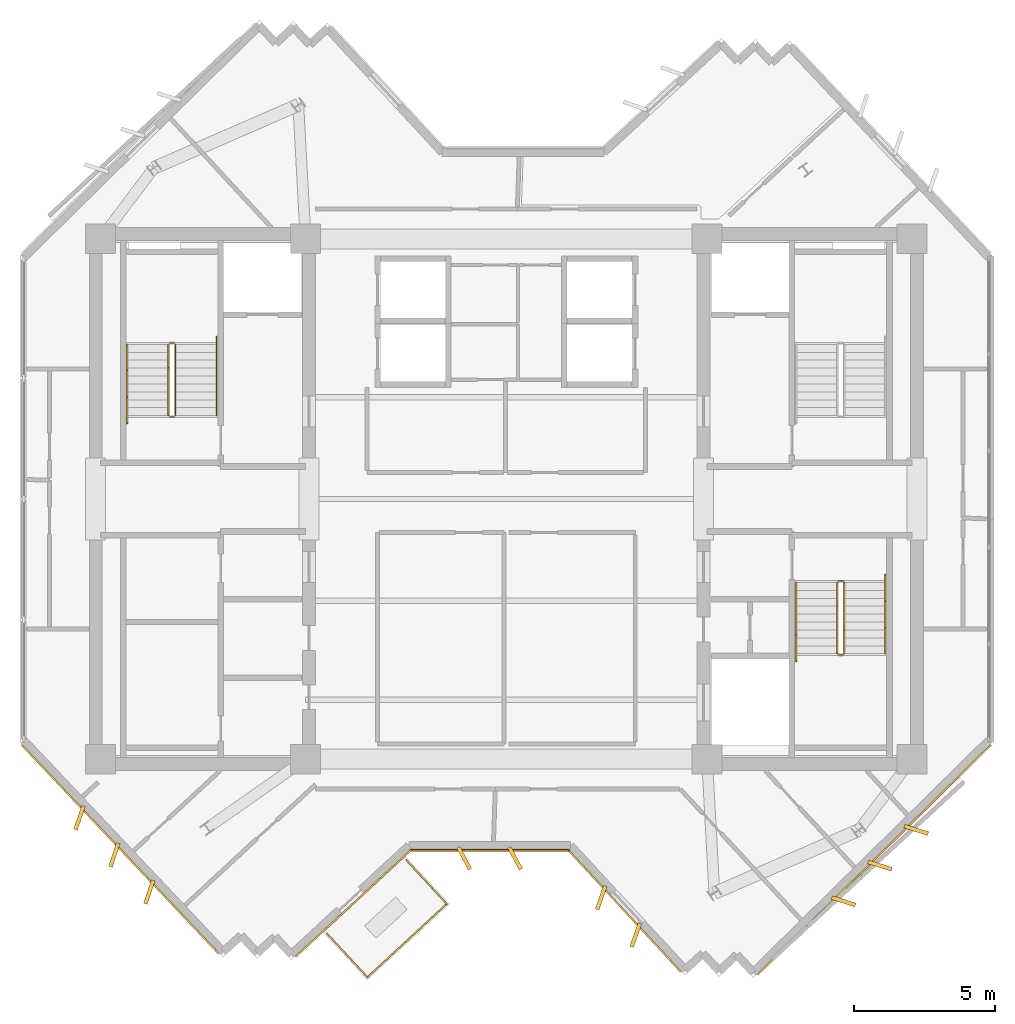
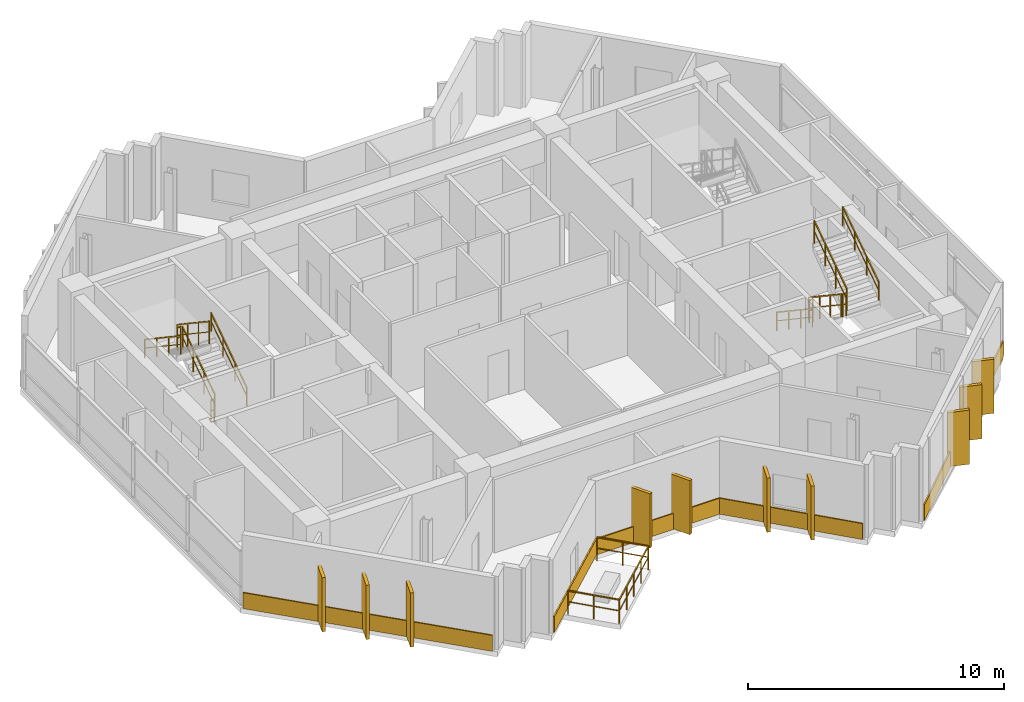
# One storey, part 8 of 9: 15 coverings, 15 railings.
"""IFC4 building model written with IfcOpenShell, lengths in metres."""

from ifc_helpers import new_model, si_unit, direction, frame, origin, origin_2d, place, context, subcontext, project, spatial, rectangle, extrude, source, transform, mapped, material, layer, layer_set, type_object, element, save


model = new_model("IFC4")

# Units and contexts
model_context = context("Model", 3, precision=1e-05, world=origin(), true_north=direction((0.0, 1.0)))
body_context = subcontext(model_context, "Body", "Model", "MODEL_VIEW")
ifc_project = project(units=[si_unit("LENGTHUNIT", "METRE"), si_unit("AREAUNIT", "SQUARE_METRE"), si_unit("VOLUMEUNIT", "CUBIC_METRE"), si_unit("PLANEANGLEUNIT", "RADIAN"), si_unit("MASSUNIT", "GRAM", prefix="KILO")], contexts=[model_context])

# Site, building, storey
site_placement = place(None, origin())
site = spatial("IfcSite", under=ifc_project, at=site_placement, CompositionType="ELEMENT")
building_placement = place(site_placement, origin())
building = spatial("IfcBuilding", under=site, at=building_placement, Name="Zahravan Cultural Tower", CompositionType="ELEMENT")
storey_placement = place(building_placement, frame((0.0, 0.0, 295.35009765625)))
storey = spatial("IfcBuildingStorey", under=building, at=storey_placement, Name="L71", CompositionType="ELEMENT", Elevation=295.35009765625)

# Railings
ifc_material_1 = material(Name="Steel ASTM A572 Grade 50", Category="steel")
railing_type_1 = type_object("IfcRailingType", Name="RL-BAL-1150", PredefinedType="BALUSTRADE", material=ifc_material_1)
railing_1_placement = place(storey_placement, frame((33.891845703125, 12.681640625, 0.0)))
element("IfcRailing", 1, at=railing_1_placement, inside=storey, type_object=railing_type_1, Name="L71 Edge Balustrade GRD-TR-L71-SW-01", PredefinedType="BALUSTRADE", context=body_context, shape_type="SweptSolid", body=[
    extrude(rectangle(XDim=0.05, YDim=0.05, at=origin_2d()), frame((0.0, 0.0, 1.125), z_axis=(-0.73411696243, -0.679023037512, 0.0), x_axis=(0.679023037512, -0.73411696243, 0.0)), (0.0, 0.0, 1.0), 3.81982421875),
    extrude(rectangle(XDim=0.032, YDim=0.032, at=origin_2d()), frame((0.0, 0.0, 0.597900390625), z_axis=(-0.73411696243, -0.679023037512, 0.0), x_axis=(0.679023037512, -0.73411696243, 0.0)), (0.0, 0.0, 1.0), 3.81982421875),
    extrude(rectangle(XDim=0.04, YDim=0.04, at=origin_2d()), origin(), (0.0, 0.0, 1.0), 1.14990234375),
    extrude(rectangle(XDim=0.04, YDim=0.04, at=origin_2d()), frame((-0.701171875, -0.6484375, 0.0)), (0.0, 0.0, 1.0), 1.14990234375),
    extrude(rectangle(XDim=0.04, YDim=0.04, at=origin_2d()), frame((-1.402099609375, -1.296875, 0.0)), (0.0, 0.0, 1.0), 1.14990234375),
    extrude(rectangle(XDim=0.04, YDim=0.04, at=origin_2d()), frame((-2.10302734375, -1.9453125, 0.0)), (0.0, 0.0, 1.0), 1.14990234375),
    extrude(rectangle(XDim=0.04, YDim=0.04, at=origin_2d()), frame((-2.80419921875, -2.59375, 0.0)), (0.0, 0.0, 1.0), 1.14990234375),
])
railing_2_placement = place(storey_placement, frame((31.087646484375, 10.087890625, 0.0)))
element("IfcRailing", 2, at=railing_2_placement, inside=storey, type_object=railing_type_1, Name="L71 Edge Balustrade GRD-TR-L71-SW-02", PredefinedType="BALUSTRADE", context=body_context, shape_type="SweptSolid", body=[
    extrude(rectangle(XDim=0.05, YDim=0.05, at=origin_2d()), frame((0.0, 0.0, 1.125), z_axis=(-0.679076439969, 0.73406756411, 0.0), x_axis=(-0.73406756411, -0.679076439969, 0.0)), (0.0, 0.0, 1.0), 2.099853515625),
    extrude(rectangle(XDim=0.032, YDim=0.032, at=origin_2d()), frame((0.0, 0.0, 0.597900390625), z_axis=(-0.679076439969, 0.73406756411, 0.0), x_axis=(-0.73406756411, -0.679076439969, 0.0)), (0.0, 0.0, 1.0), 2.099853515625),
    extrude(rectangle(XDim=0.04, YDim=0.04, at=origin_2d()), origin(), (0.0, 0.0, 1.0), 1.14990234375),
    extrude(rectangle(XDim=0.04, YDim=0.04, at=origin_2d()), frame((-0.712890625, 0.770751953125, 0.0)), (0.0, 0.0, 1.0), 1.14990234375),
    extrude(rectangle(XDim=0.04, YDim=0.04, at=origin_2d()), frame((-1.426025390625, 1.54150390625, 0.0)), (0.0, 0.0, 1.0), 1.14990234375),
])
railing_3_placement = place(storey_placement, frame((32.4658203125, 14.223388671875, 0.0)))
element("IfcRailing", 3, at=railing_3_placement, inside=storey, type_object=railing_type_1, Name="L71 Edge Balustrade GRD-TR-L71-SW-03", PredefinedType="BALUSTRADE", context=body_context, shape_type="SweptSolid", body=[
    extrude(rectangle(XDim=0.05, YDim=0.05, at=origin_2d()), frame((0.0, 0.0, 1.125), z_axis=(0.679018488434, -0.734121170084, 0.0), x_axis=(0.734121170084, 0.679018488434, 0.0)), (0.0, 0.0, 1.0), 2.10009765625),
    extrude(rectangle(XDim=0.032, YDim=0.032, at=origin_2d()), frame((0.0, 0.0, 0.597900390625), z_axis=(0.679018488434, -0.734121170084, 0.0), x_axis=(0.734121170084, 0.679018488434, 0.0)), (0.0, 0.0, 1.0), 2.10009765625),
    extrude(rectangle(XDim=0.04, YDim=0.04, at=origin_2d()), origin(), (0.0, 0.0, 1.0), 1.14990234375),
    extrude(rectangle(XDim=0.04, YDim=0.04, at=origin_2d()), frame((0.712890625, -0.77099609375, 0.0)), (0.0, 0.0, 1.0), 1.14990234375),
    extrude(rectangle(XDim=0.04, YDim=0.04, at=origin_2d()), frame((1.426025390625, -1.541748046875, 0.0)), (0.0, 0.0, 1.0), 1.14990234375),
])
railing_type_2 = type_object("IfcRailingType", Name="RL-STAIR-GRD1150", PredefinedType="BALUSTRADE", material=ifc_material_1)
railing_4_placement = place(storey_placement, frame((24.300048828125, 29.949951171875, 0.1875)))
element("IfcRailing", 4, at=railing_4_placement, inside=storey, type_object=railing_type_2, Name="L71 ST-W1 stair guard 1", PredefinedType="BALUSTRADE", context=body_context, shape_type="SweptSolid", body=[
    extrude(rectangle(XDim=0.05, YDim=0.05, at=origin_2d()), frame((0.0, 0.0, 1.0751953125), z_axis=(0.0, 0.830909170722, 0.55640807867), x_axis=(-1.0, 0.0, 0.0)), (0.0, 0.0, 1.0), 3.032958984375),
    extrude(rectangle(XDim=0.032, YDim=0.032, at=origin_2d()), frame((0.0, 0.0, 0.572021484375), z_axis=(0.0, 0.830909170722, 0.55640807867), x_axis=(-1.0, 0.0, 0.0)), (0.0, 0.0, 1.0), 3.032958984375),
    extrude(rectangle(XDim=0.04, YDim=0.04, at=origin_2d()), origin(), (0.0, 0.0, 1.0), 1.10009765625),
    extrude(rectangle(XDim=0.04, YDim=0.04, at=origin_2d()), frame((0.0, 0.840087890625, 0.5625)), (0.0, 0.0, 1.0), 1.10009765625),
    extrude(rectangle(XDim=0.04, YDim=0.04, at=origin_2d()), frame((0.0, 1.679931640625, 1.125)), (0.0, 0.0, 1.0), 1.10009765625),
    extrude(rectangle(XDim=0.04, YDim=0.04, at=origin_2d()), frame((0.0, 2.52001953125, 1.6875)), (0.0, 0.0, 1.0), 1.10009765625),
])
railing_5_placement = place(storey_placement, frame((24.25, 32.52001953125, 1.875)))
element("IfcRailing", 5, at=railing_5_placement, inside=storey, type_object=railing_type_2, Name="L71 ST-W1 stair guard 2", PredefinedType="BALUSTRADE", context=body_context, shape_type="SweptSolid", body=[
    extrude(rectangle(XDim=0.05, YDim=0.05, at=origin_2d()), frame((0.0, 0.0, 1.0751953125), z_axis=(-1.0, 0.0, 0.0), x_axis=(0.0, -1.0, 0.0)), (0.0, 0.0, 1.0), 0.14990234375),
    extrude(rectangle(XDim=0.032, YDim=0.032, at=origin_2d()), frame((0.0, 0.0, 0.572021484375), z_axis=(-1.0, 0.0, 0.0), x_axis=(0.0, -1.0, 0.0)), (0.0, 0.0, 1.0), 0.14990234375),
    extrude(rectangle(XDim=0.04, YDim=0.04, at=origin_2d()), origin(), (0.0, 0.0, 1.0), 1.10009765625),
    extrude(rectangle(XDim=0.04, YDim=0.04, at=origin_2d()), frame((-0.14990234375, 0.0, 0.0)), (0.0, 0.0, 1.0), 1.10009765625),
])
railing_6_placement = place(storey_placement, frame((24.050048828125, 32.469970703125, 2.0625)))
element("IfcRailing", 6, at=railing_6_placement, inside=storey, type_object=railing_type_2, Name="L71 ST-W1 stair guard 3", PredefinedType="BALUSTRADE", context=body_context, shape_type="SweptSolid", body=[
    extrude(rectangle(XDim=0.05, YDim=0.05, at=origin_2d()), frame((0.0, 0.0, 1.0751953125), z_axis=(0.0, -0.830909170722, 0.55640807867), x_axis=(1.0, 0.0, 0.0)), (0.0, 0.0, 1.0), 3.032958984375),
    extrude(rectangle(XDim=0.032, YDim=0.032, at=origin_2d()), frame((0.0, 0.0, 0.572021484375), z_axis=(0.0, -0.830909170722, 0.55640807867), x_axis=(1.0, 0.0, 0.0)), (0.0, 0.0, 1.0), 3.032958984375),
    extrude(rectangle(XDim=0.04, YDim=0.04, at=origin_2d()), origin(), (0.0, 0.0, 1.0), 1.10009765625),
    extrude(rectangle(XDim=0.04, YDim=0.04, at=origin_2d()), frame((0.0, -0.840087890625, 0.5625)), (0.0, 0.0, 1.0), 1.10009765625),
    extrude(rectangle(XDim=0.04, YDim=0.04, at=origin_2d()), frame((0.0, -1.679931640625, 1.125)), (0.0, 0.0, 1.0), 1.10009765625),
    extrude(rectangle(XDim=0.04, YDim=0.04, at=origin_2d()), frame((0.0, -2.52001953125, 1.6875)), (0.0, 0.0, 1.0), 1.10009765625),
])
railing_7_placement = place(storey_placement, frame((24.25, 29.89990234375, 0.0)))
element("IfcRailing", 7, at=railing_7_placement, inside=storey, type_object=railing_type_2, Name="L71 ST-W1 stair guard 4", PredefinedType="BALUSTRADE", context=body_context, shape_type="SweptSolid", body=[
    extrude(rectangle(XDim=0.05, YDim=0.05, at=origin_2d()), frame((0.0, 0.0, 1.0751953125), z_axis=(-1.0, 0.0, 0.0), x_axis=(0.0, -1.0, 0.0)), (0.0, 0.0, 1.0), 0.14990234375),
    extrude(rectangle(XDim=0.032, YDim=0.032, at=origin_2d()), frame((0.0, 0.0, 0.572021484375), z_axis=(-1.0, 0.0, 0.0), x_axis=(0.0, -1.0, 0.0)), (0.0, 0.0, 1.0), 0.14990234375),
    extrude(rectangle(XDim=0.04, YDim=0.04, at=origin_2d()), origin(), (0.0, 0.0, 1.0), 1.10009765625),
    extrude(rectangle(XDim=0.04, YDim=0.04, at=origin_2d()), frame((-0.14990234375, 0.0, 0.0)), (0.0, 0.0, 1.0), 1.10009765625),
])
railing_8_placement = place(storey_placement, frame((47.699951171875, 24.050048828125, 0.1875)))
element("IfcRailing", 8, at=railing_8_placement, inside=storey, type_object=railing_type_2, Name="L71 ST-E2 stair guard 1", PredefinedType="BALUSTRADE", context=body_context, shape_type="SweptSolid", body=[
    extrude(rectangle(XDim=0.05, YDim=0.05, at=origin_2d()), frame((0.0, 0.0, 1.0751953125), z_axis=(0.0, -0.830909170722, 0.55640807867), x_axis=(1.0, 0.0, 0.0)), (0.0, 0.0, 1.0), 3.032958984375),
    extrude(rectangle(XDim=0.032, YDim=0.032, at=origin_2d()), frame((0.0, 0.0, 0.572021484375), z_axis=(0.0, -0.830909170722, 0.55640807867), x_axis=(1.0, 0.0, 0.0)), (0.0, 0.0, 1.0), 3.032958984375),
    extrude(rectangle(XDim=0.04, YDim=0.04, at=origin_2d()), origin(), (0.0, 0.0, 1.0), 1.10009765625),
    extrude(rectangle(XDim=0.04, YDim=0.04, at=origin_2d()), frame((0.0, -0.840087890625, 0.5625)), (0.0, 0.0, 1.0), 1.10009765625),
    extrude(rectangle(XDim=0.04, YDim=0.04, at=origin_2d()), frame((0.0, -1.679931640625, 1.125)), (0.0, 0.0, 1.0), 1.10009765625),
    extrude(rectangle(XDim=0.04, YDim=0.04, at=origin_2d()), frame((0.0, -2.52001953125, 1.6875)), (0.0, 0.0, 1.0), 1.10009765625),
])
railing_9_placement = place(storey_placement, frame((47.75, 21.47998046875, 1.875)))
element("IfcRailing", 9, at=railing_9_placement, inside=storey, type_object=railing_type_2, Name="L71 ST-E2 stair guard 2", PredefinedType="BALUSTRADE", context=body_context, shape_type="SweptSolid", body=[
    extrude(rectangle(XDim=0.05, YDim=0.05, at=origin_2d()), frame((0.0, 0.0, 1.0751953125), z_axis=(1.0, 0.0, 0.0), x_axis=(0.0, 1.0, 0.0)), (0.0, 0.0, 1.0), 0.14990234375),
    extrude(rectangle(XDim=0.032, YDim=0.032, at=origin_2d()), frame((0.0, 0.0, 0.572021484375), z_axis=(1.0, 0.0, 0.0), x_axis=(0.0, 1.0, 0.0)), (0.0, 0.0, 1.0), 0.14990234375),
    extrude(rectangle(XDim=0.04, YDim=0.04, at=origin_2d()), origin(), (0.0, 0.0, 1.0), 1.10009765625),
    extrude(rectangle(XDim=0.04, YDim=0.04, at=origin_2d()), frame((0.14990234375, 0.0, 0.0)), (0.0, 0.0, 1.0), 1.10009765625),
])
railing_10_placement = place(storey_placement, frame((47.949951171875, 21.530029296875, 2.0625)))
element("IfcRailing", 10, at=railing_10_placement, inside=storey, type_object=railing_type_2, Name="L71 ST-E2 stair guard 3", PredefinedType="BALUSTRADE", context=body_context, shape_type="SweptSolid", body=[
    extrude(rectangle(XDim=0.05, YDim=0.05, at=origin_2d()), frame((0.0, 0.0, 1.0751953125), z_axis=(0.0, 0.830909170722, 0.55640807867), x_axis=(-1.0, 0.0, 0.0)), (0.0, 0.0, 1.0), 3.032958984375),
    extrude(rectangle(XDim=0.032, YDim=0.032, at=origin_2d()), frame((0.0, 0.0, 0.572021484375), z_axis=(0.0, 0.830909170722, 0.55640807867), x_axis=(-1.0, 0.0, 0.0)), (0.0, 0.0, 1.0), 3.032958984375),
    extrude(rectangle(XDim=0.04, YDim=0.04, at=origin_2d()), origin(), (0.0, 0.0, 1.0), 1.10009765625),
    extrude(rectangle(XDim=0.04, YDim=0.04, at=origin_2d()), frame((0.0, 0.840087890625, 0.5625)), (0.0, 0.0, 1.0), 1.10009765625),
    extrude(rectangle(XDim=0.04, YDim=0.04, at=origin_2d()), frame((0.0, 1.679931640625, 1.125)), (0.0, 0.0, 1.0), 1.10009765625),
    extrude(rectangle(XDim=0.04, YDim=0.04, at=origin_2d()), frame((0.0, 2.52001953125, 1.6875)), (0.0, 0.0, 1.0), 1.10009765625),
])
railing_11_placement = place(storey_placement, frame((47.75, 24.10009765625, 0.0)))
element("IfcRailing", 11, at=railing_11_placement, inside=storey, type_object=railing_type_2, Name="L71 ST-E2 stair guard 4", PredefinedType="BALUSTRADE", context=body_context, shape_type="SweptSolid", body=[
    extrude(rectangle(XDim=0.05, YDim=0.05, at=origin_2d()), frame((0.0, 0.0, 1.0751953125), z_axis=(1.0, 0.0, 0.0), x_axis=(0.0, 1.0, 0.0)), (0.0, 0.0, 1.0), 0.14990234375),
    extrude(rectangle(XDim=0.032, YDim=0.032, at=origin_2d()), frame((0.0, 0.0, 0.572021484375), z_axis=(1.0, 0.0, 0.0), x_axis=(0.0, 1.0, 0.0)), (0.0, 0.0, 1.0), 0.14990234375),
    extrude(rectangle(XDim=0.04, YDim=0.04, at=origin_2d()), origin(), (0.0, 0.0, 1.0), 1.10009765625),
    extrude(rectangle(XDim=0.04, YDim=0.04, at=origin_2d()), frame((0.14990234375, 0.0, 0.0)), (0.0, 0.0, 1.0), 1.10009765625),
])
railing_type_3 = type_object("IfcRailingType", Name="RL-STAIR-HR900", PredefinedType="HANDRAIL", material=ifc_material_1)
railing_12_placement = place(storey_placement, frame((25.75, 29.949951171875, 0.1875)))
element("IfcRailing", 12, at=railing_12_placement, inside=storey, type_object=railing_type_3, Name="L71 ST-W1 stair handrail 1", PredefinedType="HANDRAIL", context=body_context, shape_type="SweptSolid", body=[
    extrude(rectangle(XDim=0.05, YDim=0.05, at=origin_2d()), frame((0.0, 0.0, 0.875), z_axis=(0.0, 0.830911662861, 0.55640435703), x_axis=(-1.0, 0.0, 0.0)), (0.0, 0.0, 1.0), 3.369873046875),
    extrude(rectangle(XDim=0.032, YDim=0.032, at=origin_2d()), frame((0.0, 0.0, 0.468017578125), z_axis=(0.0, 0.830911662861, 0.55640435703), x_axis=(-1.0, 0.0, 0.0)), (0.0, 0.0, 1.0), 3.369873046875),
    extrude(rectangle(XDim=0.04, YDim=0.04, at=origin_2d()), origin(), (0.0, 0.0, 1.0), 0.89990234375),
    extrude(rectangle(XDim=0.04, YDim=0.04, at=origin_2d()), frame((0.0, 0.933349609375, 0.625)), (0.0, 0.0, 1.0), 0.89990234375),
    extrude(rectangle(XDim=0.04, YDim=0.04, at=origin_2d()), frame((0.0, 1.86669921875, 1.25)), (0.0, 0.0, 1.0), 0.89990234375),
    extrude(rectangle(XDim=0.04, YDim=0.04, at=origin_2d()), frame((0.0, 2.800048828125, 1.875)), (0.0, 0.0, 1.0), 0.89990234375),
])
for number, where, name in (
    (13, (22.60009765625, 32.469970703125, 2.0625), "L71 ST-W1 stair handrail 2"),
    (14, (46.25, 24.050048828125, 0.1875), "L71 ST-E2 stair handrail 1"),
):
    element("IfcRailing", number, at=place(storey_placement, frame(where)), inside=storey, type_object=railing_type_3, Name=name, PredefinedType="HANDRAIL", context=body_context, shape_type="SweptSolid", body=[
        extrude(rectangle(XDim=0.05, YDim=0.05, at=origin_2d()), frame((0.0, 0.0, 0.875), z_axis=(0.0, -0.830911662861, 0.55640435703), x_axis=(1.0, 0.0, 0.0)), (0.0, 0.0, 1.0), 3.369873046875),
        extrude(rectangle(XDim=0.032, YDim=0.032, at=origin_2d()), frame((0.0, 0.0, 0.468017578125), z_axis=(0.0, -0.830911662861, 0.55640435703), x_axis=(1.0, 0.0, 0.0)), (0.0, 0.0, 1.0), 3.369873046875),
        extrude(rectangle(XDim=0.04, YDim=0.04, at=origin_2d()), origin(), (0.0, 0.0, 1.0), 0.89990234375),
        extrude(rectangle(XDim=0.04, YDim=0.04, at=origin_2d()), frame((0.0, -0.933349609375, 0.625)), (0.0, 0.0, 1.0), 0.89990234375),
        extrude(rectangle(XDim=0.04, YDim=0.04, at=origin_2d()), frame((0.0, -1.86669921875, 1.25)), (0.0, 0.0, 1.0), 0.89990234375),
        extrude(rectangle(XDim=0.04, YDim=0.04, at=origin_2d()), frame((0.0, -2.800048828125, 1.875)), (0.0, 0.0, 1.0), 0.89990234375),
    ])
railing_13_placement = place(storey_placement, frame((49.39990234375, 21.530029296875, 2.0625)))
element("IfcRailing", 15, at=railing_13_placement, inside=storey, type_object=railing_type_3, Name="L71 ST-E2 stair handrail 2", PredefinedType="HANDRAIL", context=body_context, shape_type="SweptSolid", body=[
    extrude(rectangle(XDim=0.05, YDim=0.05, at=origin_2d()), frame((0.0, 0.0, 0.875), z_axis=(0.0, 0.830911662861, 0.55640435703), x_axis=(-1.0, 0.0, 0.0)), (0.0, 0.0, 1.0), 3.369873046875),
    extrude(rectangle(XDim=0.032, YDim=0.032, at=origin_2d()), frame((0.0, 0.0, 0.468017578125), z_axis=(0.0, 0.830911662861, 0.55640435703), x_axis=(-1.0, 0.0, 0.0)), (0.0, 0.0, 1.0), 3.369873046875),
    extrude(rectangle(XDim=0.04, YDim=0.04, at=origin_2d()), origin(), (0.0, 0.0, 1.0), 0.89990234375),
    extrude(rectangle(XDim=0.04, YDim=0.04, at=origin_2d()), frame((0.0, 0.933349609375, 0.625)), (0.0, 0.0, 1.0), 0.89990234375),
    extrude(rectangle(XDim=0.04, YDim=0.04, at=origin_2d()), frame((0.0, 1.86669921875, 1.25)), (0.0, 0.0, 1.0), 0.89990234375),
    extrude(rectangle(XDim=0.04, YDim=0.04, at=origin_2d()), frame((0.0, 2.800048828125, 1.875)), (0.0, 0.0, 1.0), 0.89990234375),
])

# Coverings
ifc_material_2 = material(Name="Terracotta ceramic cladding", Category="masonry")
ifc_layer = layer(ifc_material_2, 0.06005859375)
ifc_layer_set = layer_set([ifc_layer], Name="Terracotta ceramic cladding")
covering_type = type_object("IfcCoveringType", Name="COV-CLAD-TC60", PredefinedType="CLADDING", material=ifc_layer_set)
shared_shape_1 = source(origin(), body_context, "Body", "SweptSolid", [
    extrude(rectangle(XDim=0.8798828125, YDim=0.139892578125, at=origin_2d()), origin(), (0.0, 0.0, 1.0), 2.580078125),
])
for number, where, z_axis, x_axis, name in (
    (16, (50.493408203125, 15.29931640625, 0.0498046875), (0.0, 0.0, 1.0), (0.954015632209, -0.299756857304, 0.0), "L71 Herringbone Terracotta Fin 06"),
    (17, (49.2109375, 14.03662109375, 0.0498046875), (0.0, 0.0, 1.0), (0.954015632209, -0.299756857304, 0.0), "L71 Herringbone Terracotta Fin 07"),
    (18, (47.92822265625, 12.773681640625, 0.0498046875), (0.0, 0.0, 1.0), (0.954015632209, -0.299756857304, 0.0), "L71 Herringbone Terracotta Fin 08"),
    (19, (40.57861328125, 11.57861328125, 0.0498046875), (0.0, 0.0, 1.0), (-0.329426993022, -0.944181050577, 0.0), "L71 Herringbone Terracotta Fin 09"),
    (20, (39.3564453125, 12.900146484375, 0.0498046875), (0.0, 0.0, 1.0), (-0.329426993022, -0.944181050577, 0.0), "L71 Herringbone Terracotta Fin 10"),
    (21, (36.310546875, 14.2900390625, 0.0498046875), (0.0, 0.0, 1.0), (0.469471562786, -0.882947592859, 0.0), "L71 Herringbone Terracotta Fin 11"),
    (22, (34.510498046875, 14.2900390625, 0.0498046875), (0.0, 0.0, 1.0), (0.469471562786, -0.882947592859, 0.0), "L71 Herringbone Terracotta Fin 12"),
    (23, (23.37451171875, 13.104736328125, 0.0498046875), (0.0, 0.0, 1.0), (-0.319819345143, -0.947478541431, 0.0), "L71 Herringbone Terracotta Fin 13"),
    (24, (22.138916015625, 14.413818359375, 0.0498046875), (0.0, 0.0, 1.0), (-0.319819345143, -0.947478541431, 0.0), "L71 Herringbone Terracotta Fin 14"),
    (25, (20.9033203125, 15.72265625, 0.0498046875), (0.0, 0.0, 1.0), (-0.319819345143, -0.947478541431, 0.0), "L71 Herringbone Terracotta Fin 15"),
):
    element("IfcCovering", number, at=place(storey_placement, frame(where, z_axis=z_axis, x_axis=x_axis)), inside=storey, type_object=covering_type, Name=name, PredefinedType="CLADDING", context=body_context, shape_type="MappedRepresentation", body=[
        mapped(shared_shape_1, transform((0.0, 0.0, 0.0), x_axis=(1.0, 0.0, 0.0), y_axis=(0.0, 1.0, 0.0), z_axis=(0.0, 0.0, 1.0), scale=1.0)),
    ])
shared_shape_2 = source(origin(), body_context, "Body", "SweptSolid", [
    extrude(rectangle(XDim=5.56494140625, YDim=0.06005859375, at=origin_2d()), origin(), (0.0, 0.0, 1.0), 0.760009765625),
])
covering_1_placement = place(storey_placement, frame((30.5859375, 12.695556640625, 0.02001953125), z_axis=(0.0, 0.0, 1.0), x_axis=(-0.73412107288, -0.679018593525, 0.0)))
element("IfcCovering", 26, at=covering_1_placement, inside=storey, type_object=covering_type, Name="L71 Terracotta Spandrel Cladding 14", PredefinedType="CLADDING", context=body_context, shape_type="MappedRepresentation", body=[
    mapped(shared_shape_2, transform((0.0, 0.0, 0.0), x_axis=(1.0, 0.0, 0.0), y_axis=(0.0, 1.0, 0.0), z_axis=(0.0, 0.0, 1.0), scale=1.0)),
])
shared_shape_3 = source(origin(), body_context, "Body", "SweptSolid", [
    extrude(rectangle(XDim=10.173583984375, YDim=0.06005859375, at=origin_2d()), origin(), (0.0, 0.0, 1.0), 0.760009765625),
])
covering_2_placement = place(storey_placement, frame((22.34619140625, 14.609375, 0.02001953125), z_axis=(0.0, 0.0, 1.0), x_axis=(-0.686427809669, 0.727197952495, 0.0)))
element("IfcCovering", 27, at=covering_2_placement, inside=storey, type_object=covering_type, Name="L71 Terracotta Spandrel Cladding 19", PredefinedType="CLADDING", context=body_context, shape_type="MappedRepresentation", body=[
    mapped(shared_shape_3, transform((0.0, 0.0, 0.0), x_axis=(1.0, 0.0, 0.0), y_axis=(0.0, 1.0, 0.0), z_axis=(0.0, 0.0, 1.0), scale=1.0)),
])
shared_shape_4 = source(origin(), body_context, "Body", "SweptSolid", [
    extrude(rectangle(XDim=11.589599609375, YDim=0.06005859375, at=origin_2d()), origin(), (0.0, 0.0, 1.0), 0.760009765625),
])
covering_3_placement = place(storey_placement, frame((49.010986328125, 14.239501953125, 0.02001953125), z_axis=(0.0, 0.0, 1.0), x_axis=(-0.712552805375, -0.701618485755, 0.0)))
element("IfcCovering", 28, at=covering_3_placement, inside=storey, type_object=covering_type, Name="L71 Terracotta Spandrel Cladding 07", PredefinedType="CLADDING", context=body_context, shape_type="MappedRepresentation", body=[
    mapped(shared_shape_4, transform((0.0, 0.0, 0.0), x_axis=(1.0, 0.0, 0.0), y_axis=(0.0, 1.0, 0.0), z_axis=(0.0, 0.0, 1.0), scale=1.0)),
])
shared_shape_5 = source(origin(), body_context, "Body", "SweptSolid", [
    extrude(rectangle(XDim=5.8798828125, YDim=0.06005859375, at=origin_2d()), origin(), (0.0, 0.0, 1.0), 0.760009765625),
])
covering_4_placement = place(storey_placement, frame((40.1767578125, 12.43310546875, 0.02001953125), z_axis=(0.0, 0.0, 1.0), x_axis=(-0.679005780592, 0.734132923879, 0.0)))
element("IfcCovering", 29, at=covering_4_placement, inside=storey, type_object=covering_type, Name="L71 Terracotta Spandrel Cladding 12", PredefinedType="CLADDING", context=body_context, shape_type="MappedRepresentation", body=[
    mapped(shared_shape_5, transform((0.0, 0.0, 0.0), x_axis=(1.0, 0.0, 0.0), y_axis=(0.0, 1.0, 0.0), z_axis=(0.0, 0.0, 1.0), scale=1.0)),
])
shared_shape_6 = source(origin(), body_context, "Body", "SweptSolid", [
    extrude(rectangle(XDim=5.614501953125, YDim=0.06005859375, at=origin_2d()), origin(), (0.0, 0.0, 1.0), 0.760009765625),
])
covering_5_placement = place(storey_placement, frame((35.410400390625, 14.574951171875, 0.02001953125), z_axis=(0.0, 0.0, 1.0), x_axis=(-1.0, 0.0, 0.0)))
element("IfcCovering", 30, at=covering_5_placement, inside=storey, type_object=covering_type, Name="L71 Terracotta Spandrel Cladding 13", PredefinedType="CLADDING", context=body_context, shape_type="MappedRepresentation", body=[
    mapped(shared_shape_6, transform((0.0, 0.0, 0.0), x_axis=(1.0, 0.0, 0.0), y_axis=(0.0, 1.0, 0.0), z_axis=(0.0, 0.0, 1.0), scale=1.0)),
])

save(model, "model.ifc")
